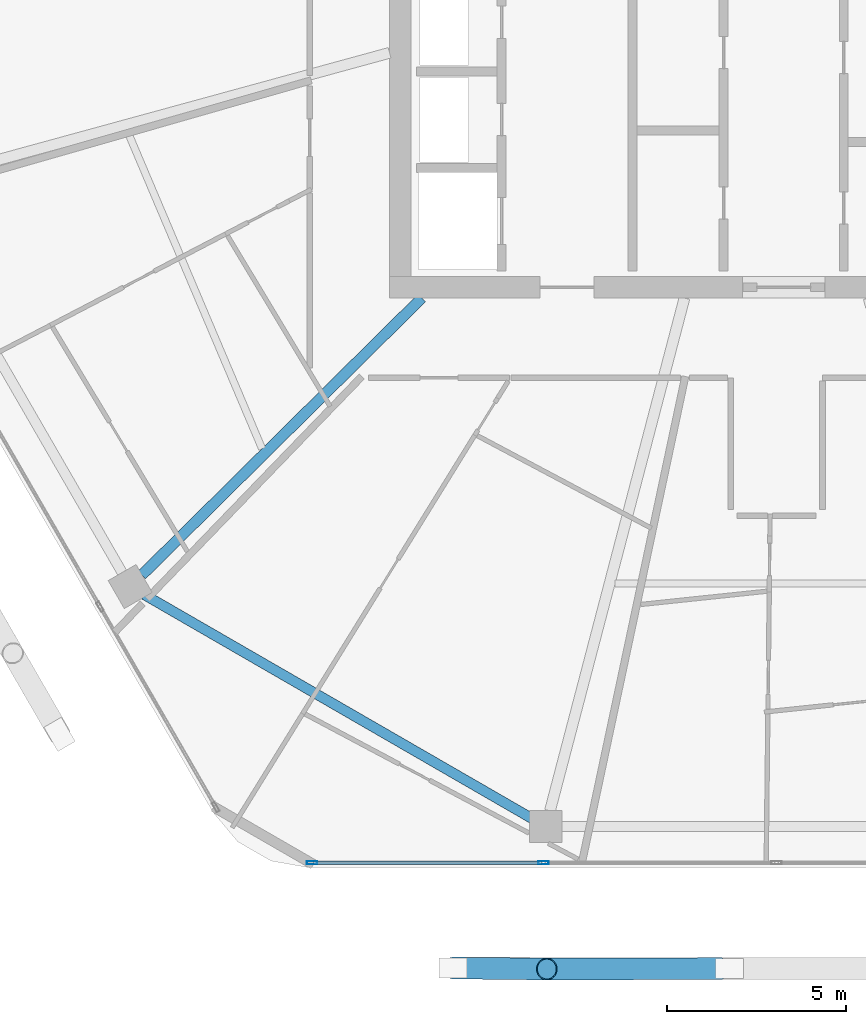
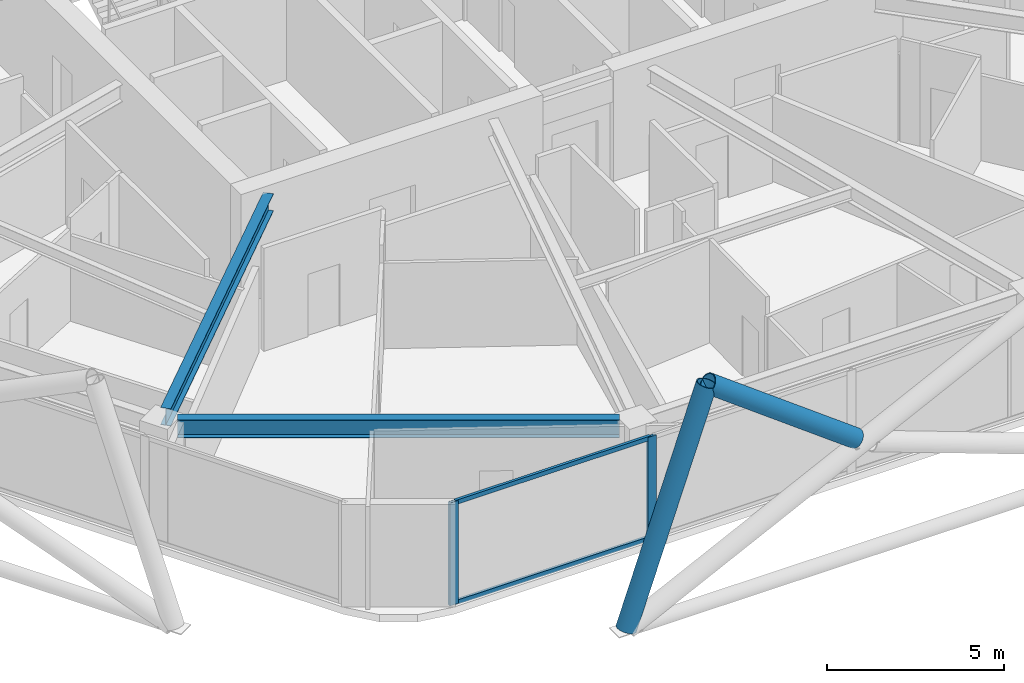
# One storey, part 3 of 29: 6 members, 2 beams, 1 element without a shape of its own.
"""IFC4 building model written with IfcOpenShell, lengths in metres."""

from ifc_helpers import new_model, si_unit, direction, frame, origin, origin_2d, place, context, subcontext, project, spatial, hollow_rectangle, hollow_circle, i_section, extrude, material, material_profile, profile_set, type_object, element, aggregate, save


model = new_model("IFC4")

# Units and contexts
model_context = context("Model", 3, precision=1e-05, world=origin(), true_north=direction((0.0, 1.0)))
body_context = subcontext(model_context, "Body", "Model", "MODEL_VIEW")
ifc_project = project(units=[si_unit("LENGTHUNIT", "METRE"), si_unit("AREAUNIT", "SQUARE_METRE"), si_unit("VOLUMEUNIT", "CUBIC_METRE"), si_unit("PLANEANGLEUNIT", "RADIAN"), si_unit("MASSUNIT", "GRAM", prefix="KILO")], contexts=[model_context])

# Site, building, storey
site_placement = place(None, origin())
site = spatial("IfcSite", under=ifc_project, at=site_placement, CompositionType="ELEMENT")
building_placement = place(site_placement, origin())
building = spatial("IfcBuilding", under=site, at=building_placement, Name="Zuhravey Tower", CompositionType="ELEMENT")
storey_placement = place(building_placement, frame((0.0, 0.0, 246.39990234375)))
storey = spatial("IfcBuildingStorey", under=building, at=storey_placement, Name="L62", CompositionType="ELEMENT", Elevation=246.39990234375)

# Curtain wall, members
ifc_material_1 = material(Name="Thermally broken anodised aluminium", Category="aluminium")
curtain_wall_type = type_object("IfcCurtainWallType", Name="Zone 3-4 High-Rise Curtain Wall CW4", PredefinedType="NOTDEFINED", material=ifc_material_1)
curtain_wall_placement = place(storey_placement, origin())
curtain_wall = element("IfcCurtainWall", 1, at=curtain_wall_placement, inside=storey, type_object=curtain_wall_type, Name="L62 CW4 CW-L62-F5-1", PredefinedType="NOTDEFINED")
ifc_material_2 = material(Name="Anodised aluminium", Category="aluminium")
ifc_material_profile_1 = material_profile(ifc_material_2, hollow_rectangle(XDim=0.090087890625, YDim=0.284912109375, WallThickness=0.0048828125, at=origin_2d()), Name="ALU-RHS-90x285x5")
ifc_profile_set_1 = profile_set([ifc_material_profile_1], Name="Anodised aluminium")
member_type_1 = type_object("IfcMemberType", Name="Curtain-Wall Mullion 90x180", PredefinedType="MULLION", material=ifc_profile_set_1)
member_1_placement = place(storey_placement, frame((29.49365234375, 6.436279296875, 0.0), z_axis=(0.0, 0.0, 1.0), x_axis=(0.0, -1.0, 0.0)))
member_1 = element("IfcMember", 2, at=member_1_placement, type_object=member_type_1, Name="CW4 mullion 4", PredefinedType="MULLION", context=body_context, shape_type="SweptSolid", body=[
    extrude(hollow_rectangle(XDim=0.090087890625, YDim=0.284912109375, WallThickness=0.0048828125, at=origin_2d()), origin(), (0.0, 0.0, 1.0), 3.550048828125),
])
member_2_placement = place(storey_placement, frame((23.0322265625, 6.436279296875, 0.0), z_axis=(0.0, 0.0, 1.0), x_axis=(0.0, -1.0, 0.0)))
member_2 = element("IfcMember", 3, at=member_2_placement, type_object=member_type_1, Name="CW4 mullion 5", PredefinedType="MULLION", context=body_context, shape_type="SweptSolid", body=[
    extrude(hollow_rectangle(XDim=0.090087890625, YDim=0.284912109375, WallThickness=0.0048828125, at=origin_2d()), origin(), (0.0, 0.0, 1.0), 3.550048828125),
])
ifc_material_profile_2 = material_profile(ifc_material_2, hollow_rectangle(XDim=0.090087890625, YDim=0.14990234375, WallThickness=0.0048828125, at=origin_2d()), Name="ALU-RHS-90x150x5")
ifc_profile_set_2 = profile_set([ifc_material_profile_2], Name="Anodised aluminium")
member_type_2 = type_object("IfcMemberType", Name="Curtain-Wall Transom 90x150", PredefinedType="USERDEFINED", material=ifc_profile_set_2)
member_3_placement = place(storey_placement, frame((29.44873046875, 6.436279296875, 0.045166015625), z_axis=(-1.0, 0.0, 0.0), x_axis=(0.0, -1.0, 0.0)))
member_3 = element("IfcMember", 4, at=member_3_placement, type_object=member_type_2, Name="CW4 transom 4.1", ObjectType="TRANSOM", PredefinedType="USERDEFINED", context=body_context, shape_type="SweptSolid", body=[
    extrude(hollow_rectangle(XDim=0.090087890625, YDim=0.14990234375, WallThickness=0.0048828125, at=origin_2d()), origin(), (0.0, 0.0, 1.0), 6.371337890625),
])
member_4_placement = place(storey_placement, frame((29.44873046875, 6.436279296875, 3.505126953125), z_axis=(-1.0, 0.0, 0.0), x_axis=(0.0, -1.0, 0.0)))
member_4 = element("IfcMember", 5, at=member_4_placement, type_object=member_type_2, Name="CW4 transom 4.2", ObjectType="TRANSOM", PredefinedType="USERDEFINED", context=body_context, shape_type="SweptSolid", body=[
    extrude(hollow_rectangle(XDim=0.090087890625, YDim=0.14990234375, WallThickness=0.0048828125, at=origin_2d()), origin(), (0.0, 0.0, 1.0), 6.371337890625),
])
aggregate(curtain_wall, [member_1, member_2, member_3, member_4])

# Members
ifc_material_3 = material(Name="Steel SM355", Category="steel")
ifc_material_profile_3 = material_profile(ifc_material_3, hollow_circle(Radius=0.3046875, WallThickness=0.028076171875, at=origin_2d()), Name="CHS-609.6x28")
ifc_profile_set_3 = profile_set([ifc_material_profile_3], Name="Steel SM355")
member_type_3 = type_object("IfcMemberType", Name="Exoskeleton Zone 3 Diagrid CHS610x28", PredefinedType="BRACE", material=ifc_profile_set_3)
member_5_placement = place(storey_placement, frame((26.977294921875, 3.496337890625, -0.44580078125), z_axis=(0.326058009418, -0.003722541376, 0.94534243382), x_axis=(0.011416063057, 0.999934834629, 0.0)))
element("IfcMember", 6, at=member_5_placement, inside=storey, type_object=member_type_3, Name="L62 Face 5 Diagrid Brace 1", PredefinedType="BRACE", context=body_context, shape_type="SweptSolid", body=[
    extrude(hollow_circle(Radius=0.3046875, WallThickness=0.028076171875, at=origin_2d()), origin(), (0.0, 0.0, 1.0), 8.001220703125),
])
member_6_placement = place(storey_placement, frame((34.452880859375, 3.480712890625, 3.512451171875), z_axis=(-0.801711857195, -0.002351417837, 0.597706089033), x_axis=(0.002932983592, -0.999995698794, 0.0)))
element("IfcMember", 7, at=member_6_placement, inside=storey, type_object=member_type_3, Name="L62 Face 5 Split Diagrid Brace 3B", PredefinedType="BRACE", context=body_context, shape_type="SweptSolid", body=[
    extrude(hollow_circle(Radius=0.3046875, WallThickness=0.028076171875, at=origin_2d()), origin(), (0.0, 0.0, 1.0), 6.02197265625),
])

# Beams
ifc_material_profile_4 = material_profile(ifc_material_3, i_section(OverallWidth=0.280029296875, OverallDepth=0.6201171875, WebThickness=0.011962890625, FlangeThickness=0.02001953125, at=origin_2d()), Name="H-620x280x12x20")
ifc_profile_set_4 = profile_set([ifc_material_profile_4], Name="Steel SM355")
beam_type_1 = type_object("IfcBeamType", Name="Perimeter Ring Beam H620x280", PredefinedType="BEAM", material=ifc_profile_set_4)
beam_1_placement = place(storey_placement, frame((18.3486328125, 13.918701171875, 3.239990234375), z_axis=(0.866025131093, -0.500000472315, 0.0), x_axis=(0.500000472315, 0.866025131093, 0.0)))
element("IfcBeam", 8, at=beam_1_placement, inside=storey, type_object=beam_type_1, Name="L62 PB3 BM-L62-PB-08", PredefinedType="BEAM", context=body_context, shape_type="SweptSolid", body=[
    extrude(i_section(OverallWidth=0.280029296875, OverallDepth=0.6201171875, WebThickness=0.011962890625, FlangeThickness=0.02001953125, at=origin_2d()), origin(), (0.0, 0.0, 1.0), 12.49169921875),
])
ifc_material_profile_5 = material_profile(ifc_material_3, i_section(OverallWidth=0.300048828125, OverallDepth=0.60009765625, WebThickness=0.011962890625, FlangeThickness=0.02001953125, at=origin_2d()), Name="H-600x300x12x20")
ifc_profile_set_5 = profile_set([ifc_material_profile_5], Name="Steel SM355")
beam_type_2 = type_object("IfcBeamType", Name="Radial Primary Girder H600x300", PredefinedType="BEAM", material=ifc_profile_set_5)
beam_2_placement = place(storey_placement, frame((26.09326171875, 22.197021484375, 3.25), z_axis=(-0.710816516282, -0.703377480576, 0.0), x_axis=(0.703377480576, -0.710816516282, 0.0)))
element("IfcBeam", 9, at=beam_2_placement, inside=storey, type_object=beam_type_2, Name="L62 RG3 BM-L62-RAD-08", PredefinedType="BEAM", context=body_context, shape_type="SweptSolid", body=[
    extrude(i_section(OverallWidth=0.300048828125, OverallDepth=0.60009765625, WebThickness=0.011962890625, FlangeThickness=0.02001953125, at=origin_2d()), origin(), (0.0, 0.0, 1.0), 10.994384765625),
])

save(model, "model.ifc")
